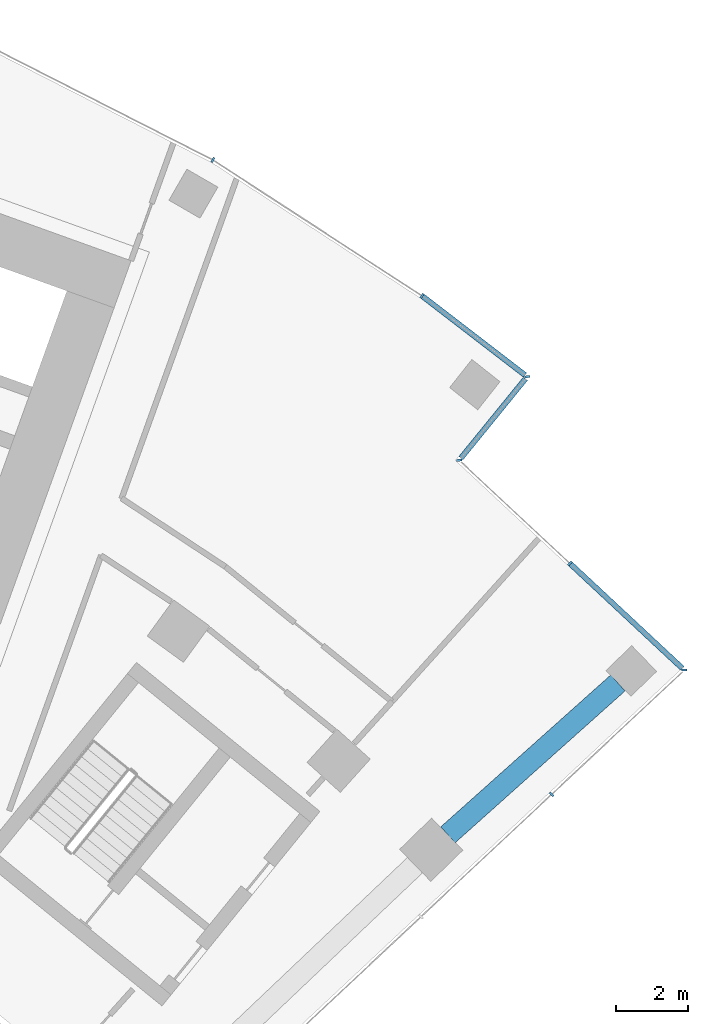
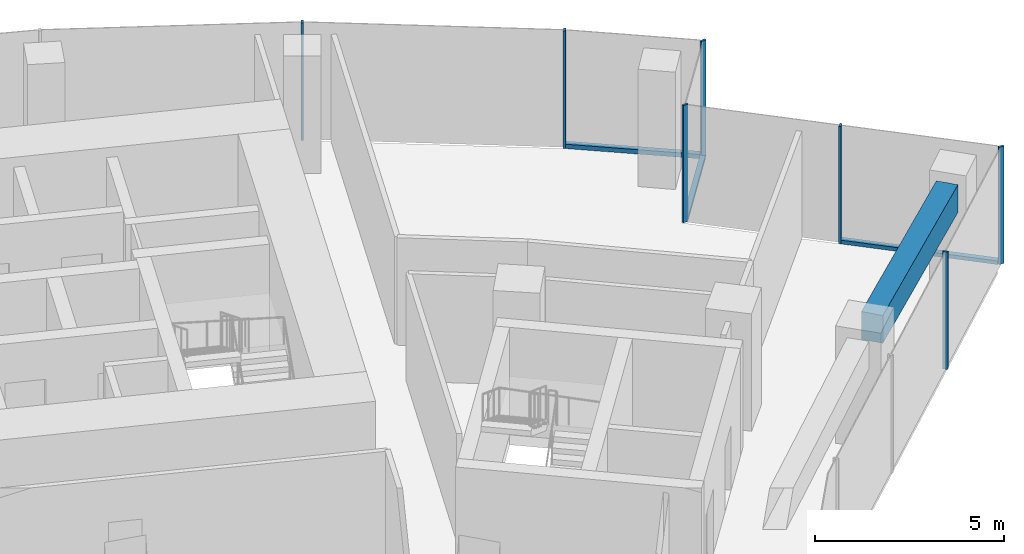
# One storey, part 9 of 20: 10 members, 1 beam, 4 elements without a shape of their own.
"""IFC4 building model written with IfcOpenShell, lengths in metres."""

import ifcopenshell
import ifcopenshell.guid

model = None  # the IFC model being written
_history = None  # IfcOwnerHistory: only IFC2X3 demands one
_inside = {}  # id of a spatial element -> (the spatial element, [elements in it])
_under = {}  # id of a project, library or spatial element -> (it, [spatial elements below it])
_declared = {}  # id of a project -> (the project, [libraries it declares])
_typed = {}  # id of a type object -> (the type object, [elements of that type])
_made_of = {}  # id of a material, layer set ... -> (it, [elements and type objects made of it])


def new_model(schema):
    """Start an empty IFC model of exactly this schema.

    Asked for "IFC4X3", IfcOpenShell would pick the latest addendum, in which some entities
    have other attributes; the version numbers below select the first issue.
    IFC2X3 requires an IfcOwnerHistory on every rooted entity: one is made here for all.
    """
    global model, _history
    if schema == "IFC4X3":
        model = ifcopenshell.file(schema_version=(4, 3, 0, 0))
    else:
        model = ifcopenshell.file(schema=schema)
    _inside.clear()
    _under.clear()
    _declared.clear()
    _typed.clear()
    _made_of.clear()
    _history = None
    if model.schema == "IFC2X3":
        org = make("IfcOrganization", Name="unknown")
        user = make(
            "IfcPersonAndOrganization",
            ThePerson=make("IfcPerson", FamilyName="unknown"),
            TheOrganization=org,
        )
        app = make(
            "IfcApplication",
            ApplicationDeveloper=org,
            Version="unknown",
            ApplicationFullName="unknown",
            ApplicationIdentifier="unknown",
        )
        _history = make(
            "IfcOwnerHistory",
            OwningUser=user,
            OwningApplication=app,
            ChangeAction="ADDED",
            CreationDate=0,
        )
    return model


def make(cls, **values):
    """One entity of the class cls with the attributes given. An attribute that is None is left unset."""
    return model.create_entity(
        cls, **{name: value for name, value in values.items() if value is not None}
    )


def rooted(cls, **values):
    """An entity with a GlobalId (a new one), such as an element, a storey or a relation."""
    return make(cls, GlobalId=ifcopenshell.guid.new(), OwnerHistory=_history, **values)


def si_unit(unit_type, name, prefix=None):
    """IfcSIUnit, for example si_unit("LENGTHUNIT", "METRE", prefix="MILLI")."""
    return make("IfcSIUnit", UnitType=unit_type, Prefix=prefix, Name=name)


def assignment(units):
    """IfcUnitAssignment: the units of a project."""
    return None if units is None else make("IfcUnitAssignment", Units=units)


def point(xyz):
    """IfcCartesianPoint."""
    return None if xyz is None else make("IfcCartesianPoint", Coordinates=xyz)


def direction(xyz):
    """IfcDirection."""
    return None if xyz is None else make("IfcDirection", DirectionRatios=xyz)


def frame(location, z_axis=None, x_axis=None):
    """IfcAxis2Placement3D, a coordinate frame: its origin and axes. An axis left out is left unset."""
    return make(
        "IfcAxis2Placement3D",
        Location=point(location),
        Axis=direction(z_axis),
        RefDirection=direction(x_axis),
    )


def frame_2d(location, x_axis=None):
    """IfcAxis2Placement2D, a coordinate frame in the plane: its origin and x axis."""
    return make(
        "IfcAxis2Placement2D", Location=point(location), RefDirection=direction(x_axis)
    )


def origin():
    """The frame at (0, 0, 0) with its axes left unset."""
    return frame((0.0, 0.0, 0.0))


def origin_2d():
    """The frame at (0, 0) in the plane with its x axis left unset."""
    return frame_2d((0.0, 0.0))


def place(relative_to, where):
    """IfcLocalPlacement: puts the frame where relative to a parent placement (None: the world)."""
    return make(
        "IfcLocalPlacement", PlacementRelTo=relative_to, RelativePlacement=where
    )


def context(
    kind, dimensions, precision=None, world=None, true_north=None, identifier=None
):
    """IfcGeometricRepresentationContext, for example the 3D "Model" context."""
    return make(
        "IfcGeometricRepresentationContext",
        ContextIdentifier=identifier,
        ContextType=kind,
        CoordinateSpaceDimension=dimensions,
        Precision=precision,
        WorldCoordinateSystem=world,
        TrueNorth=true_north,
    )


def subcontext(parent, identifier, kind, view, scale=None):
    """IfcGeometricRepresentationSubContext, for example "Body" below "Model"."""
    return make(
        "IfcGeometricRepresentationSubContext",
        ContextIdentifier=identifier,
        ContextType=kind,
        ParentContext=parent,
        TargetScale=scale,
        TargetView=view,
    )


def project(units=None, contexts=None):
    """IfcProject with its units and contexts."""
    return rooted(
        "IfcProject",
        Name="project",
        RepresentationContexts=contexts,
        UnitsInContext=assignment(units),
    )


def spatial(cls, under=None, at=None, **own):
    """A site, building, storey or space (cls), placed at a placement, below another one or the project."""
    s = rooted(cls, ObjectPlacement=at, **own)
    if under is not None:
        _under.setdefault(under.id(), (under, []))[1].append(s)
    return s


def profile(cls, at=None, kind="AREA", **sizes):
    """A parametric profile (cls). Its sizes go by their IFC names, for example OverallWidth=200.0."""
    return make(cls, ProfileType=kind, Position=at, **sizes)


def rectangle(**sizes):
    """IfcRectangleProfileDef."""
    return profile("IfcRectangleProfileDef", **sizes)


def extrude(swept, where, along, depth):
    """IfcExtrudedAreaSolid: the profile swept, set in the frame where, extruded along a direction by depth."""
    return make(
        "IfcExtrudedAreaSolid",
        SweptArea=swept,
        Position=where,
        ExtrudedDirection=direction(along),
        Depth=depth,
    )


def shape(context_of_items, identifier, shape_type, items):
    """IfcShapeRepresentation: the items that make up one representation, for example the "Body"."""
    return make(
        "IfcShapeRepresentation",
        ContextOfItems=context_of_items,
        RepresentationIdentifier=identifier,
        RepresentationType=shape_type,
        Items=items,
    )


def material(Name=None, Category=None):
    """IfcMaterial."""
    return make("IfcMaterial", Name=Name, Category=Category)


def layer(
    of_material, thickness, ventilated=None, Name=None, Category=None, Priority=None
):
    """IfcMaterialLayer: one layer of a wall or slab, of a material (None: an air gap)."""
    return make(
        "IfcMaterialLayer",
        Material=of_material,
        LayerThickness=thickness,
        IsVentilated=ventilated,
        Name=Name,
        Category=Category,
        Priority=Priority,
    )


def layer_set(layers, Name=None):
    """IfcMaterialLayerSet."""
    return make("IfcMaterialLayerSet", MaterialLayers=layers, LayerSetName=Name)


def material_profile(
    of_material, cross_section, Name=None, Category=None, Priority=None
):
    """IfcMaterialProfile: a cross section and its material."""
    return make(
        "IfcMaterialProfile",
        Name=Name,
        Material=of_material,
        Profile=cross_section,
        Priority=Priority,
        Category=Category,
    )


def profile_set(profiles, Name=None, composite=None):
    """IfcMaterialProfileSet."""
    return make(
        "IfcMaterialProfileSet",
        Name=Name,
        MaterialProfiles=profiles,
        CompositeProfile=composite,
    )


def made_of(thing, what):
    """Note that an element or type object is made of a material, layer set ...; save() writes the relation."""
    if what is not None:
        _made_of.setdefault(what.id(), (what, []))[1].append(thing)
    return thing


def type_object(cls, material=None, **own):
    """A type object (cls), such as IfcWallType, which elements share."""
    return made_of(rooted(cls, **own), material)


def element(
    cls,
    number,
    at=None,
    inside=None,
    cuts=None,
    type_object=None,
    material=None,
    context=None,
    identifier="Body",
    shape_type=None,
    held_by="IfcProductDefinitionShape",
    body=None,
    shapes=None,
    **own,
):
    """One element of the class cls, such as IfcWall. Its Tag is "e" and its number.

    at: its placement. inside: the storey or other place that contains it. cuts: it is an
    opening in that element (IfcRelVoidsElement). A single representation is given by context,
    identifier, shape_type and body (its items); several are given by shapes. held_by: the class
    of the entity that holds the representations. save() writes the other relations.
    """
    e = rooted(cls, Tag="e%d" % number, ObjectPlacement=at, **own)
    if body is not None:
        shapes = [shape(context, identifier, shape_type, body)]
    if shapes is not None:
        e.Representation = make(held_by, Representations=shapes)
    if inside is not None:
        _inside.setdefault(inside.id(), (inside, []))[1].append(e)
    if cuts is not None:
        rooted(
            "IfcRelVoidsElement", RelatingBuildingElement=cuts, RelatedOpeningElement=e
        )
    if type_object is not None:
        _typed.setdefault(type_object.id(), (type_object, []))[1].append(e)
    return made_of(e, material)


def aggregate(whole, parts):
    """IfcRelAggregates: a whole, such as a stair, and the parts it consists of."""
    return rooted("IfcRelAggregates", RelatingObject=whole, RelatedObjects=parts)


def save(model, path):
    """Write the relations noted so far, then the file.

    IfcRelAggregates (storeys below a building ...), IfcRelContainedInSpatialStructure (elements
    in a storey), IfcRelDefinesByType, IfcRelAssociatesMaterial and IfcRelDeclares: one each for
    every whole, place, type object, material and project.
    """
    for whole, parts in _under.values():
        aggregate(whole, parts)
    for where, things in _inside.values():
        rooted(
            "IfcRelContainedInSpatialStructure",
            RelatedElements=things,
            RelatingStructure=where,
        )
    for kind, things in _typed.values():
        rooted("IfcRelDefinesByType", RelatedObjects=things, RelatingType=kind)
    for what, things in _made_of.values():
        rooted("IfcRelAssociatesMaterial", RelatedObjects=things, RelatingMaterial=what)
    for by, libraries in _declared.values():
        rooted("IfcRelDeclares", RelatingContext=by, RelatedDefinitions=libraries)
    model.write(path)


model = new_model("IFC4")

# Units and contexts
model_context = context("Model", 3, precision=1e-05, world=origin(), true_north=direction((0.0, 1.0)))
body_context = subcontext(model_context, "Body", "Model", "MODEL_VIEW")
ifc_project = project(units=[si_unit("LENGTHUNIT", "METRE"), si_unit("AREAUNIT", "SQUARE_METRE"), si_unit("VOLUMEUNIT", "CUBIC_METRE"), si_unit("PLANEANGLEUNIT", "RADIAN"), si_unit("MASSUNIT", "GRAM", prefix="KILO")], contexts=[model_context])

# Site, building, storey
site_placement = place(None, origin())
site = spatial("IfcSite", under=ifc_project, at=site_placement, CompositionType="ELEMENT")
building_placement = place(site_placement, origin())
building = spatial("IfcBuilding", under=site, at=building_placement, Name="Stone Belt Terrace Tower", CompositionType="ELEMENT")
storey_placement = place(building_placement, frame((0.0, 0.0, 185.800048828125)))
storey = spatial("IfcBuildingStorey", under=building, at=storey_placement, Name="L45", CompositionType="ELEMENT", Elevation=185.800048828125)

# Curtain wall, members
ifc_material_1 = material(Name="Aluminium 6063-T6 anodised frame", Category="aluminium")
ifc_layer_1 = layer(ifc_material_1, 0.14990234375)
ifc_layer_set_1 = layer_set([ifc_layer_1], Name="CW-A unitised convex-face curtain wall")
curtain_wall_type_1 = type_object("IfcCurtainWallType", Name="CW-A unitised convex-face curtain wall", PredefinedType="NOTDEFINED", material=ifc_layer_set_1)
curtain_wall_1_placement = place(storey_placement, origin())
curtain_wall_1 = element("IfcCurtainWall", 1, at=curtain_wall_1_placement, inside=storey, type_object=curtain_wall_type_1, Name="CW-A convex face L45", PredefinedType="NOTDEFINED")
ifc_material_profile_1 = material_profile(ifc_material_1, rectangle(XDim=0.14990234375, YDim=0.06005859375, at=origin_2d()), Name="Aluminium 6063-T6 60x150")
ifc_profile_set_1 = profile_set([ifc_material_profile_1], Name="Aluminium 6063-T6 anodised frame")
member_type_1 = type_object("IfcMemberType", Name="CW-A mullion 60 x 150", PredefinedType="MULLION", material=ifc_profile_set_1)
member_1_placement = place(storey_placement, frame((42.068359375, 51.60205078125, 0.0), z_axis=(0.0, 0.0, 1.0), x_axis=(-0.993258004644, -0.115924700604, 0.0)))
member_1 = element("IfcMember", 2, at=member_1_placement, type_object=member_type_1, Name="CW-A mullion 1", PredefinedType="MULLION", context=body_context, shape_type="SweptSolid", body=[
    extrude(rectangle(XDim=0.14990234375, YDim=0.06005859375, at=origin_2d()), origin(), (0.0, 0.0, 1.0), 3.800048828125),
])
member_2_placement = place(storey_placement, frame((39.131103515625, 53.86083984375, 0.0), z_axis=(0.0, 0.0, 1.0), x_axis=(-0.577587125789, -0.816329046477, 0.0)))
member_2 = element("IfcMember", 3, at=member_2_placement, type_object=member_type_1, Name="CW-A mullion 2", PredefinedType="MULLION", context=body_context, shape_type="SweptSolid", body=[
    extrude(rectangle(XDim=0.14990234375, YDim=0.06005859375, at=origin_2d()), origin(), (0.0, 0.0, 1.0), 3.800048828125),
])
member_3_placement = place(storey_placement, frame((33.28759765625, 57.65576171875, 0.0), z_axis=(0.0, 0.0, 1.0), x_axis=(-0.5, -0.866025403784, 0.0)))
member_3 = element("IfcMember", 4, at=member_3_placement, type_object=member_type_1, Name="CW-A mullion 3", PredefinedType="MULLION", context=body_context, shape_type="SweptSolid", body=[
    extrude(rectangle(XDim=0.14990234375, YDim=0.06005859375, at=origin_2d()), origin(), (0.0, 0.0, 1.0), 3.800048828125),
])
ifc_material_profile_2 = material_profile(ifc_material_1, rectangle(XDim=0.14990234375, YDim=0.139892578125, at=origin_2d()), Name="Aluminium 6063-T6 150x140")
ifc_profile_set_2 = profile_set([ifc_material_profile_2], Name="Aluminium 6063-T6 anodised frame")
member_type_2 = type_object("IfcMemberType", Name="CW-A transom 140 x 150", PredefinedType="USERDEFINED", material=ifc_profile_set_2)
member_4_placement = place(storey_placement, frame((42.00927734375, 51.6474609375, 0.070068359375), z_axis=(-0.79269461464, 0.609618936648, 0.0), x_axis=(-0.609618936648, -0.79269461464, 0.0)))
member_4 = element("IfcMember", 5, at=member_4_placement, type_object=member_type_2, Name="CW-A transom 1.1", ObjectType="TRANSOM", PredefinedType="USERDEFINED", context=body_context, shape_type="SweptSolid", body=[
    extrude(rectangle(XDim=0.14990234375, YDim=0.139892578125, at=origin_2d()), origin(), (0.0, 0.0, 1.0), 3.597900390625),
])
aggregate(curtain_wall_1, [member_1, member_2, member_3, member_4])

# Curtain wall, member
ifc_layer_2 = layer(ifc_material_1, 0.14990234375)
ifc_layer_set_2 = layer_set([ifc_layer_2], Name="CW-C stick curtain wall, horn ends and notches")
curtain_wall_type_2 = type_object("IfcCurtainWallType", Name="CW-C stick curtain wall, horn ends and notches", PredefinedType="NOTDEFINED", material=ifc_layer_set_2)
curtain_wall_2_placement = place(storey_placement, origin())
curtain_wall_2 = element("IfcCurtainWall", 6, at=curtain_wall_2_placement, inside=storey, type_object=curtain_wall_type_2, Name="CW-C end face L45", PredefinedType="NOTDEFINED")
ifc_material_profile_3 = material_profile(ifc_material_1, rectangle(XDim=0.14990234375, YDim=0.06005859375, at=origin_2d()), Name="Aluminium 6063-T6 60x150")
ifc_profile_set_3 = profile_set([ifc_material_profile_3], Name="Aluminium 6063-T6 anodised frame")
member_type_3 = type_object("IfcMemberType", Name="CW-C mullion 60 x 150", PredefinedType="MULLION", material=ifc_profile_set_3)
member_5_placement = place(storey_placement, frame((42.750732421875, 39.932861328125, 0.0), z_axis=(0.0, 0.0, 1.0), x_axis=(-0.683549434973, 0.729904219708, 0.0)))
member_5 = element("IfcMember", 7, at=member_5_placement, type_object=member_type_3, Name="CW-C mullion 4", PredefinedType="MULLION", context=body_context, shape_type="SweptSolid", body=[
    extrude(rectangle(XDim=0.14990234375, YDim=0.06005859375, at=origin_2d()), origin(), (0.0, 0.0, 1.0), 3.800048828125),
])
aggregate(curtain_wall_2, [member_5])

# Curtain wall, members
curtain_wall_3_placement = place(storey_placement, origin())
curtain_wall_3 = element("IfcCurtainWall", 8, at=curtain_wall_3_placement, inside=storey, type_object=curtain_wall_type_2, Name="CW-C notch face L45", PredefinedType="NOTDEFINED")
member_6_placement = place(storey_placement, frame((46.458740234375, 43.405517578125, 0.0), z_axis=(0.0, 0.0, 1.0), x_axis=(-0.999999447771, -0.00105093149, 0.0)))
member_6 = element("IfcMember", 9, at=member_6_placement, type_object=member_type_3, Name="CW-C mullion 1", PredefinedType="MULLION", context=body_context, shape_type="SweptSolid", body=[
    extrude(rectangle(XDim=0.14990234375, YDim=0.06005859375, at=origin_2d()), origin(), (0.0, 0.0, 1.0), 3.800048828125),
])
member_7_placement = place(storey_placement, frame((43.260009765625, 46.388671875, 0.0), z_axis=(0.0, 0.0, 1.0), x_axis=(-0.682013767261, -0.731339333871, 0.0)))
member_7 = element("IfcMember", 10, at=member_7_placement, type_object=member_type_3, Name="CW-C mullion 2", PredefinedType="MULLION", context=body_context, shape_type="SweptSolid", body=[
    extrude(rectangle(XDim=0.14990234375, YDim=0.06005859375, at=origin_2d()), origin(), (0.0, 0.0, 1.0), 3.800048828125),
])

# Curtain wall, member
curtain_wall_4_placement = place(storey_placement, origin())
curtain_wall_4 = element("IfcCurtainWall", 11, at=curtain_wall_4_placement, inside=storey, type_object=curtain_wall_type_2, Name="CW-C notch face L45", PredefinedType="NOTDEFINED")
member_8_placement = place(storey_placement, frame((40.1708984375, 49.269287109375, 0.0), z_axis=(0.0, 0.0, 1.0), x_axis=(-0.997639702696, -0.068666029474, 0.0)))
member_8 = element("IfcMember", 12, at=member_8_placement, type_object=member_type_3, Name="CW-C mullion 1", PredefinedType="MULLION", context=body_context, shape_type="SweptSolid", body=[
    extrude(rectangle(XDim=0.14990234375, YDim=0.06005859375, at=origin_2d()), origin(), (0.0, 0.0, 1.0), 3.800048828125),
])

# Member
ifc_material_profile_4 = material_profile(ifc_material_1, rectangle(XDim=0.14990234375, YDim=0.1201171875, at=origin_2d()), Name="Aluminium 6063-T6 150x120")
ifc_profile_set_4 = profile_set([ifc_material_profile_4], Name="Aluminium 6063-T6 anodised frame")
member_type_4 = type_object("IfcMemberType", Name="CW-C transom 120 x 150", PredefinedType="USERDEFINED", material=ifc_profile_set_4)
member_9_placement = place(storey_placement, frame((46.40380859375, 43.456787109375, 0.06005859375), z_axis=(-0.731353784958, 0.681998270693, 0.0), x_axis=(-0.681998270693, -0.731353784958, 0.0)))
member_9 = element("IfcMember", 13, at=member_9_placement, type_object=member_type_4, Name="CW-C transom 1.1", ObjectType="TRANSOM", PredefinedType="USERDEFINED", context=body_context, shape_type="SweptSolid", body=[
    extrude(rectangle(XDim=0.14990234375, YDim=0.1201171875, at=origin_2d()), origin(), (0.0, 0.0, 1.0), 4.268798828125),
])

aggregate(curtain_wall_3, [member_6, member_7, member_9])

member_10_placement = place(storey_placement, frame((40.217041015625, 49.325927734375, 0.06005859375), z_axis=(0.631026504781, 0.775761271439, 0.0), x_axis=(-0.775761271439, 0.631026504781, 0.0)))
member_10 = element("IfcMember", 14, at=member_10_placement, type_object=member_type_4, Name="CW-C transom 1.1", ObjectType="TRANSOM", PredefinedType="USERDEFINED", context=body_context, shape_type="SweptSolid", body=[
    extrude(rectangle(XDim=0.14990234375, YDim=0.1201171875, at=origin_2d()), origin(), (0.0, 0.0, 1.0), 2.859130859375),
])

aggregate(curtain_wall_4, [member_8, member_10])

# Beam
ifc_material_2 = material(Name="Concrete B60", Category="concrete")
ifc_material_profile_5 = material_profile(ifc_material_2, rectangle(XDim=0.60009765625, YDim=0.89990234375, at=origin_2d()), Name="RC 600x900")
ifc_profile_set_5 = profile_set([ifc_material_profile_5], Name="Concrete B60")
beam_type = type_object("IfcBeamType", Name="Edge beam RC 600x900 B60", PredefinedType="SPANDREL", material=ifc_profile_set_5)
beam_placement = place(storey_placement, frame((39.854736328125, 38.8037109375, 3.030029296875), z_axis=(0.745666230978, 0.666319647, 0.0), x_axis=(-0.666319647, 0.745666230978, 0.0)))
element("IfcBeam", 15, at=beam_placement, inside=storey, type_object=beam_type, Name="Edge beam L45 B Q to R", PredefinedType="SPANDREL", context=body_context, shape_type="SweptSolid", body=[
    extrude(rectangle(XDim=0.60009765625, YDim=0.89990234375, at=origin_2d()), origin(), (0.0, 0.0, 1.0), 6.369140625),
])

save(model, "model.ifc")
